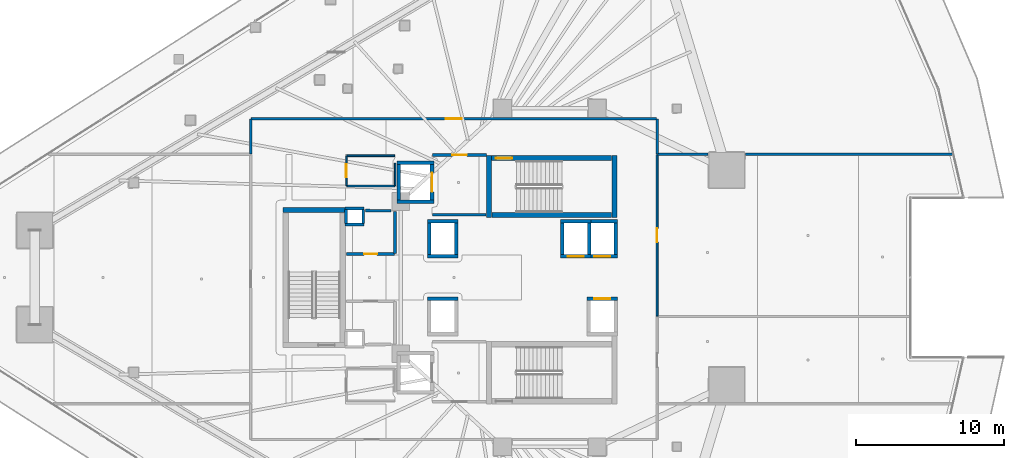
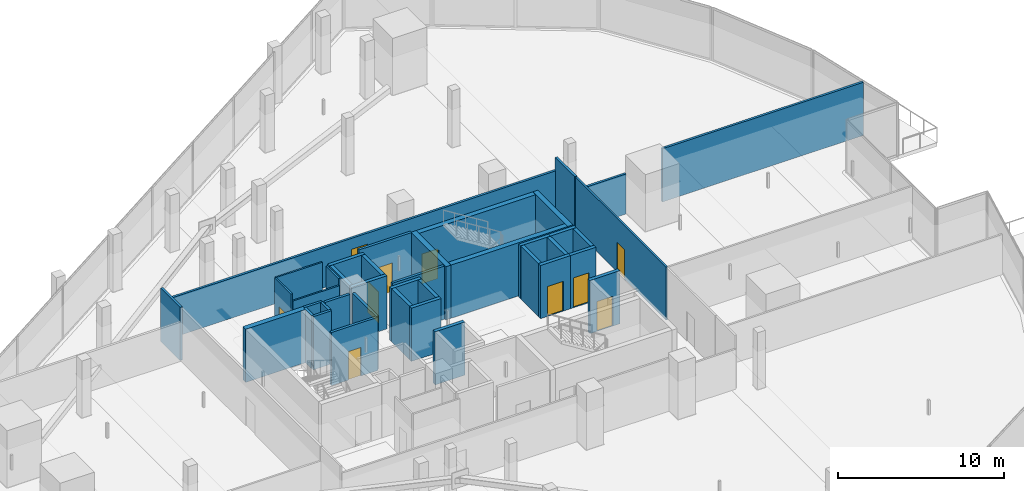
# One storey, part 31 of 43: 41 walls, 10 doors, 10 openings.
"""IFC4 building model written with IfcOpenShell, lengths in metres."""

from ifc_helpers import new_model, si_unit, direction, frame, frame_2d, origin, place, context, subcontext, project, spatial, rectangle, extrude, material, layer, layer_set, type_object, element, fill, save


model = new_model("IFC4")

# Units and contexts
model_context = context("Model", 3, precision=1e-05, world=origin(), true_north=direction((0.0, 1.0)))
body_context = subcontext(model_context, "Body", "Model", "MODEL_VIEW")
ifc_project = project(units=[si_unit("LENGTHUNIT", "METRE"), si_unit("AREAUNIT", "SQUARE_METRE"), si_unit("VOLUMEUNIT", "CUBIC_METRE"), si_unit("PLANEANGLEUNIT", "RADIAN"), si_unit("MASSUNIT", "GRAM", prefix="KILO")], contexts=[model_context])

# Site, building, storey
site_placement = place(None, origin())
site = spatial("IfcSite", under=ifc_project, at=site_placement, CompositionType="ELEMENT")
building_placement = place(site_placement, origin())
building = spatial("IfcBuilding", under=site, at=building_placement, Name="Qorvath Tower", CompositionType="ELEMENT")
storey_placement = place(building_placement, frame((0.0, 0.0, 36.60009765625)))
storey = spatial("IfcBuildingStorey", under=building, at=storey_placement, Name="L07", CompositionType="ELEMENT", Elevation=36.60009765625)

# Walls
ifc_material_1 = material(Name="Gypsum shaftliner on steel studs", Category="steel")
ifc_layer_1 = layer(ifc_material_1, 0.179931640625)
ifc_layer_set_1 = layer_set([ifc_layer_1], Name="FW-LOBBY")
wall_type_1 = type_object("IfcWallType", Name="FW-LOBBY", PredefinedType="PARTITIONING", material=ifc_layer_set_1)
for number, where, z_axis, x_axis, name in (
    (1, (-32.989990234375, 3.594970703125, 0.0), (0.0, 0.0, 1.0), (-1.0, 0.0, 0.0), "MEP Riser Shaft Enclosure Wall N-L07-S"),
    (2, (-34.260009765625, 4.675048828125, 0.0), (0.0, 0.0, 1.0), (1.0, 0.0, 0.0), "MEP Riser Shaft Enclosure Wall N-L07-N"),
):
    element("IfcWall", number, at=place(storey_placement, frame(where, z_axis=z_axis, x_axis=x_axis)), inside=storey, type_object=wall_type_1, Name=name, PredefinedType="PARTITIONING", context=body_context, shape_type="SweptSolid", body=[
        extrude(rectangle(XDim=1.27001953125, YDim=0.179931640625, at=frame_2d((0.635009765625, 0.0))), origin(), (0.0, 0.0, 1.0), 3.919921875),
    ])
for number, where, z_axis, x_axis, name in (
    (3, (-34.205078125, 3.659912109375, 0.0), (0.0, 0.0, 1.0), (0.0, 1.0, 0.0), "MEP Riser Shaft Enclosure Wall N-L07-W"),
    (4, (-33.044921875, 4.610107421875, 0.0), (0.0, 0.0, 1.0), (0.0, -1.0, 0.0), "MEP Riser Shaft Enclosure Wall N-L07-E"),
):
    element("IfcWall", number, at=place(storey_placement, frame(where, z_axis=z_axis, x_axis=x_axis)), inside=storey, type_object=wall_type_1, Name=name, PredefinedType="PARTITIONING", context=body_context, shape_type="SweptSolid", body=[
        extrude(rectangle(XDim=0.9501953125, YDim=0.179931640625, at=frame_2d((0.47509765625, 0.0))), origin(), (0.0, 0.0, 1.0), 3.919921875),
    ])
wall_1_placement = place(storey_placement, frame((-28.35498046875, 4.25, 0.0), z_axis=(0.0, 0.0, 1.0), x_axis=(1.0, 0.0, 0.0)))
element("IfcWall", 5, at=wall_1_placement, inside=storey, type_object=wall_type_1, Name="Interior Partition IW-T1-L07-001", PredefinedType="PARTITIONING", context=body_context, shape_type="SweptSolid", body=[
    extrude(rectangle(XDim=3.6220703125, YDim=0.179931640625, at=frame_2d((1.81103515625, 0.0))), origin(), (0.0, 0.0, 1.0), 3.919921875),
])

# Wall, opening, door
wall_2_placement = place(storey_placement, frame((-24.68408203125, 8.300048828125, 0.0), z_axis=(0.0, 0.0, 1.0), x_axis=(-1.0, 0.0, 0.0)))
wall_2 = element("IfcWall", 6, at=wall_2_placement, inside=storey, type_object=wall_type_1, Name="Interior Partition IW-T1-L07-002", PredefinedType="PARTITIONING", context=body_context, shape_type="SweptSolid", body=[
    extrude(rectangle(XDim=3.6708984375, YDim=0.179931640625, at=frame_2d((1.83544921875, 0.0))), origin(), (0.0, 0.0, 1.0), 3.919921875),
])
opening_1_placement = place(wall_2_placement, frame((1.33544921875, 0.0, 0.0)))
opening_1 = element("IfcOpeningElement", 7, at=opening_1_placement, cuts=wall_2, Name="Opening D-T1-L07-10", PredefinedType="OPENING", context=body_context, shape_type="SweptSolid", body=[
    extrude(rectangle(XDim=1.0, YDim=2.14990234375, at=frame_2d((0.5, 1.074951171875))), frame((0.0, 0.10009765625, 0.0), z_axis=(0.0, -1.0, 0.0), x_axis=(1.0, 0.0, 0.0)), (0.0, 0.0, 1.0), 0.199951171875),
])
ifc_material_2 = material(Name="Painted galvanised hollow metal", Category="steel")
door_type_1 = type_object("IfcDoorType", Name="FD-60", OperationType="NOTDEFINED", PredefinedType="DOOR", material=ifc_material_2)
door_1_placement = place(opening_1_placement, origin())
door_1 = element("IfcDoor", 8, at=door_1_placement, inside=storey, type_object=door_type_1, Name="Lobby Fire Service Elevator North Door D-T1-L07-10", OperationType="SINGLE_SWING_LEFT", OverallHeight=2.14990234375, OverallWidth=1.0, PredefinedType="DOOR", context=body_context, shape_type="SweptSolid", body=[
    extrude(rectangle(XDim=1.0, YDim=2.14990234375, at=frame_2d((0.5, 1.074951171875))), frame((0.0, 0.02490234375, 0.0), z_axis=(0.0, -1.0, 0.0), x_axis=(1.0, 0.0, 0.0)), (0.0, 0.0, 1.0), 0.050048828125),
])
fill(opening_1, door_1)

wall_3_placement = place(storey_placement, frame((-34.15478515625, 1.60009765625, 0.0), z_axis=(0.0, 0.0, 1.0), x_axis=(1.0, 0.0, 0.0)))
wall_3 = element("IfcWall", 9, at=wall_3_placement, inside=storey, type_object=wall_type_1, Name="Interior Partition IW-T1-L07-013", PredefinedType="PARTITIONING", context=body_context, shape_type="SweptSolid", body=[
    extrude(rectangle(XDim=3.25, YDim=0.179931640625, at=frame_2d((1.625, 0.0))), origin(), (0.0, 0.0, 1.0), 3.919921875),
])
opening_2_placement = place(wall_3_placement, frame((1.18505859375, 0.0, 0.0)))
opening_2 = element("IfcOpeningElement", 10, at=opening_2_placement, cuts=wall_3, Name="Opening D-T1-L07-03", PredefinedType="OPENING", context=body_context, shape_type="SweptSolid", body=[
    extrude(rectangle(XDim=0.8798828125, YDim=2.10009765625, at=frame_2d((0.43994140625, 1.050048828125))), frame((0.0, 0.10009765625, 0.0), z_axis=(0.0, -1.0, 0.0), x_axis=(1.0, 0.0, 0.0)), (0.0, 0.0, 1.0), 0.199951171875),
])
ifc_material_3 = material(Name="Painted galvanised hollow metal", Category="steel")
door_type_2 = type_object("IfcDoorType", Name="FD-60N", OperationType="NOTDEFINED", PredefinedType="DOOR", material=ifc_material_3)
door_2_placement = place(opening_2_placement, origin())
door_2 = element("IfcDoor", 11, at=door_2_placement, inside=storey, type_object=door_type_2, Name="Core telecom and comms room L07 Door D-T1-L07-03", OperationType="SINGLE_SWING_RIGHT", OverallHeight=2.10009765625, OverallWidth=0.8798828125, PredefinedType="DOOR", context=body_context, shape_type="SweptSolid", body=[
    extrude(rectangle(XDim=0.8798828125, YDim=2.10009765625, at=frame_2d((0.43994140625, 1.050048828125))), frame((0.0, 0.02490234375, 0.0), z_axis=(0.0, -1.0, 0.0), x_axis=(1.0, 0.0, 0.0)), (0.0, 0.0, 1.0), 0.050048828125),
])
fill(opening_2, door_2)

# Walls
wall_4_placement = place(storey_placement, frame((-30.8798828125, 1.625, 0.0), z_axis=(0.0, 0.0, 1.0), x_axis=(0.0, 1.0, 0.0)))
element("IfcWall", 12, at=wall_4_placement, inside=storey, type_object=wall_type_1, Name="Interior Partition IW-T1-L07-014", PredefinedType="PARTITIONING", context=body_context, shape_type="SweptSolid", body=[
    extrude(rectangle(XDim=2.860107421875, YDim=0.179931640625, at=frame_2d((1.43017578125, 0.0))), origin(), (0.0, 0.0, 1.0), 3.919921875),
])
wall_5_placement = place(storey_placement, frame((-31.1650390625, 4.5224609375, 0.0), z_axis=(0.0, 0.0, 1.0), x_axis=(-0.9999584918, 0.009111239105, 0.0)))
element("IfcWall", 13, at=wall_5_placement, inside=storey, type_object=wall_type_1, Name="Interior Partition IW-T1-L07-015", PredefinedType="PARTITIONING", context=body_context, shape_type="SweptSolid", body=[
    extrude(rectangle(XDim=1.71484375, YDim=0.179931640625, at=frame_2d((0.857421875, 0.0))), origin(), (0.0, 0.0, 1.0), 3.919921875),
])
ifc_material_4 = material(Name="Double acoustic gypsum board on steel studs", Category="steel")
ifc_layer_2 = layer(ifc_material_4, 0.159912109375)
ifc_layer_set_2 = layer_set([ifc_layer_2], Name="IW-ACOUSTIC-160")
wall_type_2 = type_object("IfcWallType", Name="IW-ACOUSTIC-160", PredefinedType="PARTITIONING", material=ifc_layer_set_2)
wall_6_placement = place(storey_placement, frame((-40.657958984375, 10.733154296875, 0.0), z_axis=(0.0, 0.0, 1.0), x_axis=(0.0, -1.0, 0.0)))
element("IfcWall", 14, at=wall_6_placement, inside=storey, type_object=wall_type_2, Name="Interior Partition IW-T1-L07-020", PredefinedType="PARTITIONING", context=body_context, shape_type="SweptSolid", body=[
    extrude(rectangle(XDim=2.358154296875, YDim=0.159912109375, at=frame_2d((1.17919921875, 0.0))), origin(), (0.0, 0.0, 1.0), 3.919921875),
])

# Wall, opening, door
wall_7_placement = place(storey_placement, frame((-40.633056640625, 10.758056640625, 0.0), z_axis=(0.0, 0.0, 1.0), x_axis=(1.0, 0.0, 0.0)))
wall_7 = element("IfcWall", 15, at=wall_7_placement, inside=storey, type_object=wall_type_2, Name="Interior Partition IW-T1-L07-021", PredefinedType="PARTITIONING", context=body_context, shape_type="SweptSolid", body=[
    extrude(rectangle(XDim=27.466064453125, YDim=0.159912109375, at=frame_2d((13.73291015625, 0.0))), origin(), (0.0, 0.0, 1.0), 2.956787109375),
])
opening_3_placement = place(wall_7_placement, frame((13.18310546875, 0.0, 0.0)))
opening_3 = element("IfcOpeningElement", 16, at=opening_3_placement, cuts=wall_7, Name="Opening D-T1-L07-05", PredefinedType="OPENING", context=body_context, shape_type="SweptSolid", body=[
    extrude(rectangle(XDim=1.10009765625, YDim=2.14990234375, at=frame_2d((0.550048828125, 1.074951171875))), frame((0.0, 0.08984375, 0.0), z_axis=(0.0, -1.0, 0.0), x_axis=(1.0, 0.0, 0.0)), (0.0, 0.0, 1.0), 0.179931640625),
])
ifc_material_5 = material(Name="Anodised aluminium acoustic framed glass", Category="aluminium")
door_type_3 = type_object("IfcDoorType", Name="D-03", OperationType="NOTDEFINED", PredefinedType="DOOR", material=ifc_material_5)
door_3_placement = place(opening_3_placement, origin())
door_3 = element("IfcDoor", 17, at=door_3_placement, inside=storey, type_object=door_type_3, Name="L07-01 Enclosed Conference Suite Door D-T1-L07-05", OperationType="SINGLE_SWING_RIGHT", OverallHeight=2.14990234375, OverallWidth=1.10009765625, PredefinedType="DOOR", context=body_context, shape_type="SweptSolid", body=[
    extrude(rectangle(XDim=1.10009765625, YDim=2.14990234375, at=frame_2d((0.550048828125, 1.074951171875))), frame((0.0, 0.02490234375, 0.0), z_axis=(0.0, -1.0, 0.0), x_axis=(1.0, 0.0, 0.0)), (0.0, 0.0, 1.0), 0.050048828125),
])
fill(opening_3, door_3)

# Walls
wall_8_placement = place(storey_placement, frame((-13.14208984375, 8.375, 0.0), z_axis=(0.0, 0.0, 1.0), x_axis=(0.0, 1.0, 0.0)))
element("IfcWall", 18, at=wall_8_placement, inside=storey, type_object=wall_type_2, Name="Interior Partition IW-T1-L07-022", PredefinedType="PARTITIONING", context=body_context, shape_type="SweptSolid", body=[
    extrude(rectangle(XDim=2.358154296875, YDim=0.159912109375, at=frame_2d((1.17919921875, 0.0))), origin(), (0.0, 0.0, 1.0), 3.919921875),
])
wall_9_placement = place(storey_placement, frame((-13.1171875, 8.35009765625, 0.0), z_axis=(0.0, 0.0, 1.0), x_axis=(1.0, 0.0, 0.0)))
element("IfcWall", 19, at=wall_9_placement, inside=storey, type_object=wall_type_2, Name="Interior Partition IW-T1-L07-023", PredefinedType="PARTITIONING", context=body_context, shape_type="SweptSolid", body=[
    extrude(rectangle(XDim=3.421875, YDim=0.159912109375, at=frame_2d((1.7109375, 0.0))), origin(), (0.0, 0.0, 1.0), 2.956787109375),
])
wall_10_placement = place(storey_placement, frame((-7.165283203125, 8.35009765625, 0.0), z_axis=(0.0, 0.0, 1.0), x_axis=(1.0, 0.0, 0.0)))
element("IfcWall", 20, at=wall_10_placement, inside=storey, type_object=wall_type_2, Name="Interior Partition IW-T1-L07-024", PredefinedType="PARTITIONING", context=body_context, shape_type="SweptSolid", body=[
    extrude(rectangle(XDim=14.010498046875, YDim=0.159912109375, at=frame_2d((7.00537109375, 0.0))), origin(), (0.0, 0.0, 1.0), 3.919921875),
])

# Wall, opening, door
ifc_material_6 = material(Name="Gypsum board on metal studs with mineral wool", Category="gypsum")
ifc_layer_3 = layer(ifc_material_6, 0.125)
ifc_layer_set_3 = layer_set([ifc_layer_3], Name="IW-PART-125")
wall_type_3 = type_object("IfcWallType", Name="IW-PART-125", PredefinedType="PARTITIONING", material=ifc_layer_set_3)
wall_11_placement = place(storey_placement, frame((-13.14208984375, 8.31689453125, 0.0), z_axis=(0.0, 0.0, 1.0), x_axis=(0.0, -1.0, 0.0)))
wall_11 = element("IfcWall", 21, at=wall_11_placement, inside=storey, type_object=wall_type_3, Name="Interior Partition IW-T1-L07-032", PredefinedType="PARTITIONING", context=body_context, shape_type="SweptSolid", body=[
    extrude(rectangle(XDim=10.927001953125, YDim=0.125, at=frame_2d((5.46337890625, 0.0))), origin(), (0.0, 0.0, 1.0), 3.919921875),
])
opening_4_placement = place(wall_11_placement, frame((4.988525390625, 0.0, 0.0)))
opening_4 = element("IfcOpeningElement", 22, at=opening_4_placement, cuts=wall_11, Name="Opening D-T1-L07-07", PredefinedType="OPENING", context=body_context, shape_type="SweptSolid", body=[
    extrude(rectangle(XDim=0.949951171875, YDim=2.14990234375, at=frame_2d((0.47509765625, 1.074951171875))), frame((0.0, 0.072509765625, 0.0), z_axis=(0.0, -1.0, 0.0), x_axis=(1.0, 0.0, 0.0)), (0.0, 0.0, 1.0), 0.14501953125),
])
ifc_material_7 = material(Name="Solid-core American white oak veneer", Category="wood")
door_type_4 = type_object("IfcDoorType", Name="D-01", OperationType="NOTDEFINED", PredefinedType="DOOR", material=ifc_material_7)
door_4_placement = place(opening_4_placement, origin())
door_4 = element("IfcDoor", 23, at=door_4_placement, inside=storey, type_object=door_type_4, Name="L07-03 Staff Refreshment Pantry and Coffee Bar Door D-T1-L07-07", OperationType="SINGLE_SWING_RIGHT", OverallHeight=2.14990234375, OverallWidth=0.949951171875, PredefinedType="DOOR", context=body_context, shape_type="SweptSolid", body=[
    extrude(rectangle(XDim=0.949951171875, YDim=2.14990234375, at=frame_2d((0.47509765625, 1.074951171875))), frame((0.0, 0.02490234375, 0.0), z_axis=(0.0, -1.0, 0.0), x_axis=(1.0, 0.0, 0.0)), (0.0, 0.0, 1.0), 0.050048828125),
])
fill(opening_4, door_4)

ifc_material_8 = material(Name="Moisture-resistant cement board on metal studs", Category="gypsum")
ifc_layer_4 = layer(ifc_material_8, 0.110107421875)
ifc_layer_set_4 = layer_set([ifc_layer_4], Name="IW-WC-110")
wall_type_4 = type_object("IfcWallType", Name="IW-WC-110", PredefinedType="PARTITIONING", material=ifc_layer_set_4)
wall_12_placement = place(storey_placement, frame((-34.179931640625, 8.22509765625, 0.0), z_axis=(0.0, 0.0, 1.0), x_axis=(0.0, -1.0, 0.0)))
wall_12 = element("IfcWall", 24, at=wall_12_placement, inside=storey, type_object=wall_type_4, Name="Interior Partition IW-T1-L07-005", PredefinedType="PARTITIONING", context=body_context, shape_type="SweptSolid", body=[
    extrude(rectangle(XDim=2.0, YDim=0.110107421875, at=frame_2d((1.0, 0.0))), origin(), (0.0, 0.0, 1.0), 3.919921875),
])
opening_5_placement = place(wall_12_placement, frame((0.56005859375, 0.0, 0.0)))
opening_5 = element("IfcOpeningElement", 25, at=opening_5_placement, cuts=wall_12, Name="Opening D-T1-L07-01", PredefinedType="OPENING", context=body_context, shape_type="SweptSolid", body=[
    extrude(rectangle(XDim=0.8798828125, YDim=2.10009765625, at=frame_2d((0.43994140625, 1.050048828125))), frame((0.0, 0.06494140625, 0.0), z_axis=(0.0, -1.0, 0.0), x_axis=(1.0, 0.0, 0.0)), (0.0, 0.0, 1.0), 0.130126953125),
])
ifc_material_9 = material(Name="Solid-core oak with acoustic drop seal", Category="wood")
door_type_5 = type_object("IfcDoorType", Name="D-02", OperationType="NOTDEFINED", PredefinedType="DOOR", material=ifc_material_9)
door_5_placement = place(opening_5_placement, origin())
door_5 = element("IfcDoor", 26, at=door_5_placement, inside=storey, type_object=door_type_5, Name="WC All-Gender North L07 Door D-T1-L07-01", OperationType="SINGLE_SWING_RIGHT", OverallHeight=2.10009765625, OverallWidth=0.8798828125, PredefinedType="DOOR", context=body_context, shape_type="SweptSolid", body=[
    extrude(rectangle(XDim=0.8798828125, YDim=2.10009765625, at=frame_2d((0.43994140625, 1.050048828125))), frame((0.0, 0.02490234375, 0.0), z_axis=(0.0, -1.0, 0.0), x_axis=(1.0, 0.0, 0.0)), (0.0, 0.0, 1.0), 0.050048828125),
])
fill(opening_5, door_5)

# Walls
wall_13_placement = place(storey_placement, frame((-34.15478515625, 6.199951171875, 0.0), z_axis=(0.0, 0.0, 1.0), x_axis=(1.0, 0.0, 0.0)))
element("IfcWall", 27, at=wall_13_placement, inside=storey, type_object=wall_type_4, Name="Interior Partition IW-T1-L07-006", PredefinedType="PARTITIONING", context=body_context, shape_type="SweptSolid", body=[
    extrude(rectangle(XDim=3.25, YDim=0.110107421875, at=frame_2d((1.625, 0.0))), origin(), (0.0, 0.0, 1.0), 3.432861328125),
])
wall_14_placement = place(storey_placement, frame((-30.8798828125, 6.22509765625, 0.0), z_axis=(0.0, 0.0, 1.0), x_axis=(0.0, 1.0, 0.0)))
element("IfcWall", 28, at=wall_14_placement, inside=storey, type_object=wall_type_4, Name="Interior Partition IW-T1-L07-007", PredefinedType="PARTITIONING", context=body_context, shape_type="SweptSolid", body=[
    extrude(rectangle(XDim=1.517822265625, YDim=0.110107421875, at=frame_2d((0.7587890625, 0.0))), origin(), (0.0, 0.0, 1.0), 3.919921875),
])
wall_15_placement = place(storey_placement, frame((-30.90478515625, 8.25, 0.0), z_axis=(0.0, 0.0, 1.0), x_axis=(-1.0, 0.0, 0.0)))
element("IfcWall", 29, at=wall_15_placement, inside=storey, type_object=wall_type_4, Name="Interior Partition IW-T1-L07-008", PredefinedType="PARTITIONING", context=body_context, shape_type="SweptSolid", body=[
    extrude(rectangle(XDim=3.25, YDim=0.110107421875, at=frame_2d((1.625, 0.0))), origin(), (0.0, 0.0, 1.0), 3.919921875),
])
ifc_material_10 = material(Name="Concrete C60/75", Category="concrete")
ifc_layer_5 = layer(ifc_material_10, 0.260009765625)
ifc_layer_set_5 = layer_set([ifc_layer_5], Name="SW-SHAFT")
wall_type_5 = type_object("IfcWallType", Name="SW-SHAFT", PredefinedType="SHEAR", material=ifc_layer_set_5)
for number, where, z_axis, x_axis, name in (
    (30, (-28.260009765625, 5.1298828125, 0.0), (0.0, 0.0, 1.0), (-1.0, 0.0, 0.0), "Hoistway Wall FSAE-1 L07 S"),
    (31, (-30.739990234375, 7.77001953125, 0.0), (0.0, 0.0, 1.0), (1.0, 0.0, 0.0), "Hoistway Wall FSAE-1 L07 N"),
):
    element("IfcWall", number, at=place(storey_placement, frame(where, z_axis=z_axis, x_axis=x_axis)), inside=storey, type_object=wall_type_5, Name=name, PredefinedType="SHEAR", context=body_context, shape_type="SweptSolid", body=[
        extrude(rectangle(XDim=2.47998046875, YDim=0.239990234375, at=frame_2d((1.239990234375, 0.0))), origin(), (0.0, 0.0, 1.0), 3.919921875),
    ])
wall_16_placement = place(storey_placement, frame((-30.6201171875, 5.261962890625, 0.0), z_axis=(0.0, 0.0, 1.0), x_axis=(0.0, 1.0, 0.0)))
element("IfcWall", 32, at=wall_16_placement, inside=storey, type_object=wall_type_5, Name="Hoistway Wall FSAE-1 L07 W", PredefinedType="SHEAR", context=body_context, shape_type="SweptSolid", body=[
    extrude(rectangle(XDim=2.3759765625, YDim=0.239990234375, at=frame_2d((1.18798828125, 0.0))), origin(), (0.0, 0.0, 1.0), 3.919921875),
])

# Wall, opening, door
wall_17_placement = place(storey_placement, frame((-28.3798828125, 7.637939453125, 0.0), z_axis=(0.0, 0.0, 1.0), x_axis=(0.0, -1.0, 0.0)))
wall_17 = element("IfcWall", 33, at=wall_17_placement, inside=storey, type_object=wall_type_5, Name="Hoistway Wall FSAE-1 L07 E", PredefinedType="SHEAR", context=body_context, shape_type="SweptSolid", body=[
    extrude(rectangle(XDim=2.3759765625, YDim=0.239990234375, at=frame_2d((1.18798828125, 0.0))), origin(), (0.0, 0.0, 1.0), 3.919921875),
])
opening_6_placement = place(wall_17_placement, frame((0.537841796875, 0.0, 0.0)))
opening_6 = element("IfcOpeningElement", 34, at=opening_6_placement, cuts=wall_17, Name="Opening LD-FSAE-1-L07", PredefinedType="OPENING", context=body_context, shape_type="SweptSolid", body=[
    extrude(rectangle(XDim=1.300048828125, YDim=2.300048828125, at=frame_2d((0.64990234375, 1.14990234375))), frame((0.0, 0.1298828125, 0.0), z_axis=(0.0, -1.0, 0.0), x_axis=(1.0, 0.0, 0.0)), (0.0, 0.0, 1.0), 0.260009765625),
])
ifc_material_11 = material(Name="Brushed stainless steel AISI 316", Category="steel")
door_type_6 = type_object("IfcDoorType", Name="LD-02", OperationType="NOTDEFINED", PredefinedType="DOOR", material=ifc_material_11)
door_6_placement = place(opening_6_placement, origin())
door_6 = element("IfcDoor", 35, at=door_6_placement, inside=storey, type_object=door_type_6, Name="Elevator Landing Sliding Door LD-FSAE-1-L07", OperationType="DOUBLE_DOOR_SLIDING", OverallHeight=2.300048828125, OverallWidth=1.300048828125, PredefinedType="DOOR", context=body_context, shape_type="SweptSolid", body=[
    extrude(rectangle(XDim=1.300048828125, YDim=2.300048828125, at=frame_2d((0.64990234375, 1.14990234375))), frame((0.0, 0.02490234375, 0.0), z_axis=(0.0, -1.0, 0.0), x_axis=(1.0, 0.0, 0.0)), (0.0, 0.0, 1.0), 0.050048828125),
])
fill(opening_6, door_6)

# Walls
for number, where, z_axis, x_axis, name in (
    (36, (-26.610107421875, 1.429931640625, 0.0), (0.0, 0.0, 1.0), (-1.0, 0.0, 0.0), "Hoistway Wall PS-1 L07 S"),
    (37, (-28.68994140625, 3.820068359375, 0.0), (0.0, 0.0, 1.0), (1.0, 0.0, 0.0), "Hoistway Wall PS-1 L07 N"),
):
    element("IfcWall", number, at=place(storey_placement, frame(where, z_axis=z_axis, x_axis=x_axis)), inside=storey, type_object=wall_type_5, Name=name, PredefinedType="SHEAR", context=body_context, shape_type="SweptSolid", body=[
        extrude(rectangle(XDim=2.079833984375, YDim=0.239990234375, at=frame_2d((1.0400390625, 0.0))), origin(), (0.0, 0.0, 1.0), 3.919921875),
    ])
for number, where, z_axis, x_axis, name in (
    (38, (-28.570068359375, 1.56201171875, 0.0), (0.0, 0.0, 1.0), (0.0, 1.0, 0.0), "Hoistway Wall PS-1 L07 W"),
    (39, (-26.72998046875, 3.68798828125, 0.0), (0.0, 0.0, 1.0), (0.0, -1.0, 0.0), "Hoistway Wall PS-1 L07 E"),
):
    element("IfcWall", number, at=place(storey_placement, frame(where, z_axis=z_axis, x_axis=x_axis)), inside=storey, type_object=wall_type_5, Name=name, PredefinedType="SHEAR", context=body_context, shape_type="SweptSolid", body=[
        extrude(rectangle(XDim=2.1259765625, YDim=0.239990234375, at=frame_2d((1.06298828125, 0.0))), origin(), (0.0, 0.0, 1.0), 3.919921875),
    ])

# Wall, opening, door
wall_18_placement = place(storey_placement, frame((-17.610107421875, 1.429931640625, 0.0), z_axis=(0.0, 0.0, 1.0), x_axis=(-1.0, 0.0, 0.0)))
wall_18 = element("IfcWall", 40, at=wall_18_placement, inside=storey, type_object=wall_type_5, Name="Hoistway Wall PL-1 L07 S", PredefinedType="SHEAR", context=body_context, shape_type="SweptSolid", body=[
    extrude(rectangle(XDim=2.079833984375, YDim=0.239990234375, at=frame_2d((1.0400390625, 0.0))), origin(), (0.0, 0.0, 1.0), 3.919921875),
])
opening_7_placement = place(wall_18_placement, frame((0.48974609375, 0.0, 0.0)))
opening_7 = element("IfcOpeningElement", 41, at=opening_7_placement, cuts=wall_18, Name="Opening LD-PL-1-L07", PredefinedType="OPENING", context=body_context, shape_type="SweptSolid", body=[
    extrude(rectangle(XDim=1.10009765625, YDim=2.199951171875, at=frame_2d((0.550048828125, 1.10009765625))), frame((0.0, 0.1298828125, 0.0), z_axis=(0.0, -1.0, 0.0), x_axis=(1.0, 0.0, 0.0)), (0.0, 0.0, 1.0), 0.260009765625),
])
ifc_material_12 = material(Name="Brushed stainless steel AISI 316", Category="steel")
door_type_7 = type_object("IfcDoorType", Name="LD-01", OperationType="NOTDEFINED", PredefinedType="DOOR", material=ifc_material_12)
door_7_placement = place(opening_7_placement, origin())
door_7 = element("IfcDoor", 42, at=door_7_placement, inside=storey, type_object=door_type_7, Name="Elevator Landing Sliding Door LD-PL-1-L07", OperationType="DOUBLE_DOOR_SLIDING", OverallHeight=2.199951171875, OverallWidth=1.10009765625, PredefinedType="DOOR", context=body_context, shape_type="SweptSolid", body=[
    extrude(rectangle(XDim=1.10009765625, YDim=2.199951171875, at=frame_2d((0.550048828125, 1.10009765625))), frame((0.0, 0.02490234375, 0.0), z_axis=(0.0, -1.0, 0.0), x_axis=(1.0, 0.0, 0.0)), (0.0, 0.0, 1.0), 0.050048828125),
])
fill(opening_7, door_7)

# Walls
wall_19_placement = place(storey_placement, frame((-19.68994140625, 3.820068359375, 0.0), z_axis=(0.0, 0.0, 1.0), x_axis=(1.0, 0.0, 0.0)))
element("IfcWall", 43, at=wall_19_placement, inside=storey, type_object=wall_type_5, Name="Hoistway Wall PL-1 L07 N", PredefinedType="SHEAR", context=body_context, shape_type="SweptSolid", body=[
    extrude(rectangle(XDim=2.079833984375, YDim=0.239990234375, at=frame_2d((1.0400390625, 0.0))), origin(), (0.0, 0.0, 1.0), 3.919921875),
])
for number, where, z_axis, x_axis, name in (
    (44, (-19.570068359375, 1.56201171875, 0.0), (0.0, 0.0, 1.0), (0.0, 1.0, 0.0), "Hoistway Wall PL-1 L07 W"),
    (45, (-17.72998046875, 3.68798828125, 0.0), (0.0, 0.0, 1.0), (0.0, -1.0, 0.0), "Hoistway Wall PL-1 L07 E"),
):
    element("IfcWall", number, at=place(storey_placement, frame(where, z_axis=z_axis, x_axis=x_axis)), inside=storey, type_object=wall_type_5, Name=name, PredefinedType="SHEAR", context=body_context, shape_type="SweptSolid", body=[
        extrude(rectangle(XDim=2.1259765625, YDim=0.239990234375, at=frame_2d((1.06298828125, 0.0))), origin(), (0.0, 0.0, 1.0), 3.919921875),
    ])

# Wall, opening, door
wall_20_placement = place(storey_placement, frame((-15.81005859375, 1.429931640625, 0.0), z_axis=(0.0, 0.0, 1.0), x_axis=(-1.0, 0.0, 0.0)))
wall_20 = element("IfcWall", 46, at=wall_20_placement, inside=storey, type_object=wall_type_5, Name="Hoistway Wall PL-3 L07 S", PredefinedType="SHEAR", context=body_context, shape_type="SweptSolid", body=[
    extrude(rectangle(XDim=1.800048828125, YDim=0.239990234375, at=frame_2d((0.89990234375, 0.0))), origin(), (0.0, 0.0, 1.0), 3.919921875),
])
opening_8_placement = place(wall_20_placement, frame((0.489990234375, 0.0, 0.0)))
opening_8 = element("IfcOpeningElement", 47, at=opening_8_placement, cuts=wall_20, Name="Opening LD-PL-3-L07", PredefinedType="OPENING", context=body_context, shape_type="SweptSolid", body=[
    extrude(rectangle(XDim=1.10009765625, YDim=2.199951171875, at=frame_2d((0.550048828125, 1.10009765625))), frame((0.0, 0.1298828125, 0.0), z_axis=(0.0, -1.0, 0.0), x_axis=(1.0, 0.0, 0.0)), (0.0, 0.0, 1.0), 0.260009765625),
])
door_8_placement = place(opening_8_placement, origin())
door_8 = element("IfcDoor", 48, at=door_8_placement, inside=storey, type_object=door_type_7, Name="Elevator Landing Sliding Door LD-PL-3-L07", OperationType="DOUBLE_DOOR_SLIDING", OverallHeight=2.199951171875, OverallWidth=1.10009765625, PredefinedType="DOOR", context=body_context, shape_type="SweptSolid", body=[
    extrude(rectangle(XDim=1.10009765625, YDim=2.199951171875, at=frame_2d((0.550048828125, 1.10009765625))), frame((0.0, 0.02490234375, 0.0), z_axis=(0.0, -1.0, 0.0), x_axis=(1.0, 0.0, 0.0)), (0.0, 0.0, 1.0), 0.050048828125),
])
fill(opening_8, door_8)

# Walls
wall_21_placement = place(storey_placement, frame((-17.610107421875, 3.820068359375, 0.0), z_axis=(0.0, 0.0, 1.0), x_axis=(1.0, 0.0, 0.0)))
element("IfcWall", 49, at=wall_21_placement, inside=storey, type_object=wall_type_5, Name="Hoistway Wall PL-3 L07 N", PredefinedType="SHEAR", context=body_context, shape_type="SweptSolid", body=[
    extrude(rectangle(XDim=1.800048828125, YDim=0.239990234375, at=frame_2d((0.89990234375, 0.0))), origin(), (0.0, 0.0, 1.0), 3.919921875),
])
wall_22_placement = place(storey_placement, frame((-15.929931640625, 3.68798828125, 0.0), z_axis=(0.0, 0.0, 1.0), x_axis=(0.0, -1.0, 0.0)))
element("IfcWall", 50, at=wall_22_placement, inside=storey, type_object=wall_type_5, Name="Hoistway Wall PL-3 L07 E", PredefinedType="SHEAR", context=body_context, shape_type="SweptSolid", body=[
    extrude(rectangle(XDim=2.1259765625, YDim=0.239990234375, at=frame_2d((1.06298828125, 0.0))), origin(), (0.0, 0.0, 1.0), 3.919921875),
])
wall_23_placement = place(storey_placement, frame((-28.68994140625, -1.429931640625, 0.0), z_axis=(0.0, 0.0, 1.0), x_axis=(1.0, 0.0, 0.0)))
element("IfcWall", 51, at=wall_23_placement, inside=storey, type_object=wall_type_5, Name="Hoistway Wall PS-2 L07 N", PredefinedType="SHEAR", context=body_context, shape_type="SweptSolid", body=[
    extrude(rectangle(XDim=2.079833984375, YDim=0.239990234375, at=frame_2d((1.0400390625, 0.0))), origin(), (0.0, 0.0, 1.0), 3.919921875),
])

# Wall, opening, door
wall_24_placement = place(storey_placement, frame((-17.889892578125, -1.429931640625, 0.0), z_axis=(0.0, 0.0, 1.0), x_axis=(1.0, 0.0, 0.0)))
wall_24 = element("IfcWall", 52, at=wall_24_placement, inside=storey, type_object=wall_type_5, Name="Hoistway Wall PL-2 L07 N", PredefinedType="SHEAR", context=body_context, shape_type="SweptSolid", body=[
    extrude(rectangle(XDim=2.079833984375, YDim=0.239990234375, at=frame_2d((1.0400390625, 0.0))), origin(), (0.0, 0.0, 1.0), 3.919921875),
])
opening_9_placement = place(wall_24_placement, frame((0.48974609375, 0.0, 0.0)))
opening_9 = element("IfcOpeningElement", 53, at=opening_9_placement, cuts=wall_24, Name="Opening LD-PL-2-L07", PredefinedType="OPENING", context=body_context, shape_type="SweptSolid", body=[
    extrude(rectangle(XDim=1.10009765625, YDim=2.199951171875, at=frame_2d((0.550048828125, 1.10009765625))), frame((0.0, 0.1298828125, 0.0), z_axis=(0.0, -1.0, 0.0), x_axis=(1.0, 0.0, 0.0)), (0.0, 0.0, 1.0), 0.260009765625),
])
door_9_placement = place(opening_9_placement, origin())
door_9 = element("IfcDoor", 54, at=door_9_placement, inside=storey, type_object=door_type_7, Name="Elevator Landing Sliding Door LD-PL-2-L07", OperationType="DOUBLE_DOOR_SLIDING", OverallHeight=2.199951171875, OverallWidth=1.10009765625, PredefinedType="DOOR", context=body_context, shape_type="SweptSolid", body=[
    extrude(rectangle(XDim=1.10009765625, YDim=2.199951171875, at=frame_2d((0.550048828125, 1.10009765625))), frame((0.0, 0.02490234375, 0.0), z_axis=(0.0, -1.0, 0.0), x_axis=(1.0, 0.0, 0.0)), (0.0, 0.0, 1.0), 0.050048828125),
])
fill(opening_9, door_9)

# Walls
ifc_material_13 = material(Name="Concrete C60/75", Category="concrete")
ifc_layer_6 = layer(ifc_material_13, 0.35009765625)
ifc_layer_set_6 = layer_set([ifc_layer_6], Name="SW-STAIR")
wall_type_6 = type_object("IfcWallType", Name="SW-STAIR", PredefinedType="SHEAR", material=ifc_layer_set_6)
for number, where, z_axis, x_axis, name in (
    (55, (-24.52490234375, 8.260009765625, 0.0), (0.0, 0.0, 1.0), (0.0, -1.0, 0.0), "Stair TS1 Shear Wall L07 NEAR"),
    (56, (-16.02490234375, 4.050048828125, 0.0), (0.0, 0.0, 1.0), (0.0, 1.0, 0.0), "Stair TS1 Shear Wall L07 FAR"),
):
    element("IfcWall", number, at=place(storey_placement, frame(where, z_axis=z_axis, x_axis=x_axis)), inside=storey, type_object=wall_type_6, Name=name, PredefinedType="SHEAR", context=body_context, shape_type="SweptSolid", body=[
        extrude(rectangle(XDim=4.2099609375, YDim=0.35009765625, at=frame_2d((2.10498046875, 0.0))), origin(), (0.0, 0.0, 1.0), 3.919921875),
    ])
wall_25_placement = place(storey_placement, frame((-24.3349609375, 4.22509765625, 0.0), z_axis=(0.0, 0.0, 1.0), x_axis=(1.0, 0.0, 0.0)))
element("IfcWall", 57, at=wall_25_placement, inside=storey, type_object=wall_type_6, Name="Stair TS1 Shear Wall L07 LEFT", PredefinedType="SHEAR", context=body_context, shape_type="SweptSolid", body=[
    extrude(rectangle(XDim=8.119873046875, YDim=0.35009765625, at=frame_2d((4.06005859375, 0.0))), origin(), (0.0, 0.0, 1.0), 3.919921875),
])

# Wall, opening, door
wall_26_placement = place(storey_placement, frame((-16.215087890625, 8.0849609375, 0.0), z_axis=(0.0, 0.0, 1.0), x_axis=(-1.0, 0.0, 0.0)))
wall_26 = element("IfcWall", 58, at=wall_26_placement, inside=storey, type_object=wall_type_6, Name="Stair TS1 Shear Wall L07 RIGHT", PredefinedType="SHEAR", context=body_context, shape_type="SweptSolid", body=[
    extrude(rectangle(XDim=8.119873046875, YDim=0.35009765625, at=frame_2d((4.06005859375, 0.0))), origin(), (0.0, 0.0, 1.0), 3.919921875),
])
opening_10_placement = place(wall_26_placement, frame((6.739990234375, 0.0, 0.0)))
opening_10 = element("IfcOpeningElement", 59, at=opening_10_placement, cuts=wall_26, Name="Opening D-TS1-L07", PredefinedType="OPENING", context=body_context, shape_type="SweptSolid", body=[
    extrude(rectangle(XDim=1.10009765625, YDim=2.199951171875, at=frame_2d((0.550048828125, 1.10009765625))), frame((0.0, 0.18505859375, 0.0), z_axis=(0.0, -1.0, 0.0), x_axis=(1.0, 0.0, 0.0)), (0.0, 0.0, 1.0), 0.3701171875),
])
ifc_material_14 = material(Name="Painted galvanised hollow metal", Category="steel")
door_type_8 = type_object("IfcDoorType", Name="FD-90", OperationType="NOTDEFINED", PredefinedType="DOOR", material=ifc_material_14)
door_10_placement = place(opening_10_placement, origin())
door_10 = element("IfcDoor", 60, at=door_10_placement, inside=storey, type_object=door_type_8, Name="Stair TS1 Fire Door L07", OperationType="SINGLE_SWING_RIGHT", OverallHeight=2.199951171875, OverallWidth=1.10009765625, PredefinedType="DOOR", context=body_context, shape_type="SweptSolid", body=[
    extrude(rectangle(XDim=1.10009765625, YDim=2.199951171875, at=frame_2d((0.550048828125, 1.10009765625))), frame((0.0, 0.02490234375, 0.0), z_axis=(0.0, -1.0, 0.0), x_axis=(1.0, 0.0, 0.0)), (0.0, 0.0, 1.0), 0.050048828125),
])
fill(opening_10, door_10)

# Wall
wall_27_placement = place(storey_placement, frame((-34.25, 4.574951171875, 0.0), z_axis=(0.0, 0.0, 1.0), x_axis=(-1.0, 0.0, 0.0)))
element("IfcWall", 61, at=wall_27_placement, inside=storey, type_object=wall_type_6, Name="Stair TS3 Shear Wall L07 FAR", PredefinedType="SHEAR", context=body_context, shape_type="SweptSolid", body=[
    extrude(rectangle(XDim=4.2099609375, YDim=0.35009765625, at=frame_2d((2.10498046875, 0.0))), origin(), (0.0, 0.0, 1.0), 3.919921875),
])

save(model, "model.ifc")
